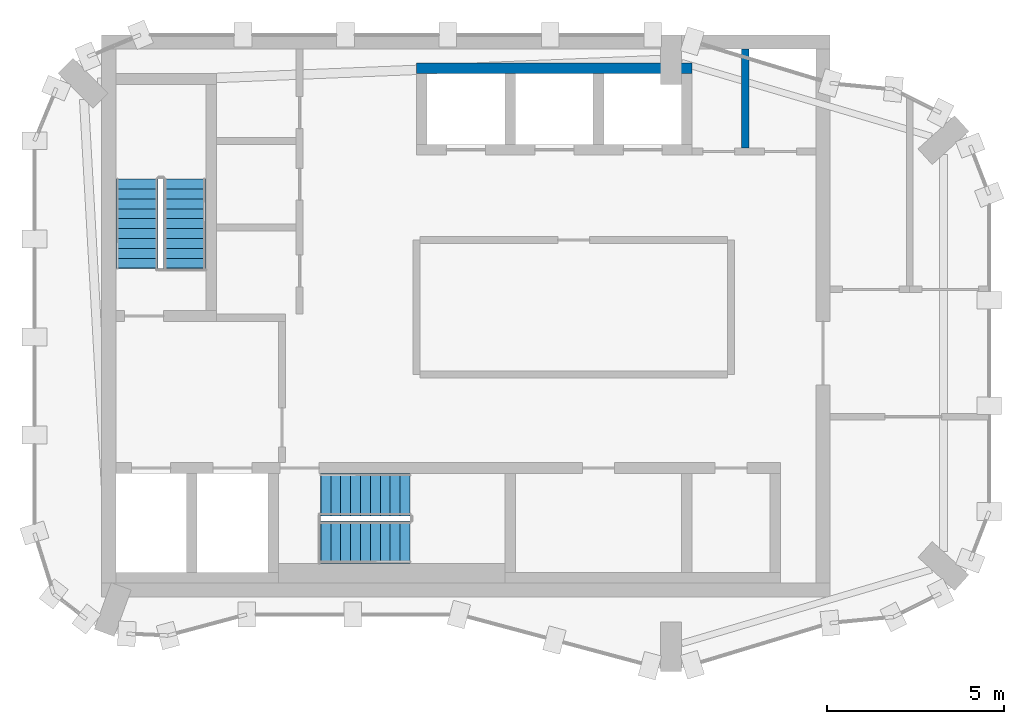
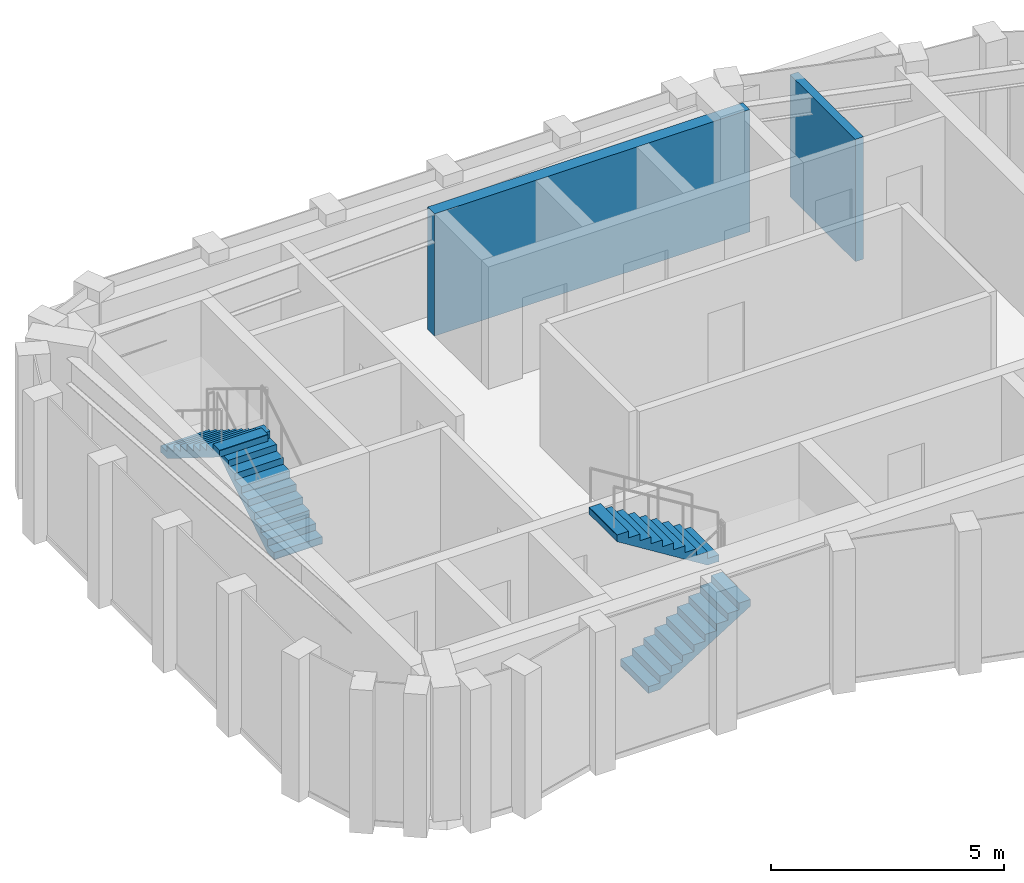
# One storey, part 4 of 5: 4 stair flights, 2 walls, 2 elements without a shape of their own.
"""IFC4 building model written with IfcOpenShell, lengths in metres."""

from ifc_helpers import new_model, si_unit, direction, frame, frame_2d, origin, place, context, subcontext, project, spatial, polyline, rectangle, outline, extrude, material, layer, layer_set, type_object, element, aggregate, save


model = new_model("IFC4")

# Units and contexts
model_context = context("Model", 3, precision=1e-05, world=origin(), true_north=direction((0.0, 1.0)))
body_context = subcontext(model_context, "Body", "Model", "MODEL_VIEW")
ifc_project = project(units=[si_unit("LENGTHUNIT", "METRE"), si_unit("AREAUNIT", "SQUARE_METRE"), si_unit("VOLUMEUNIT", "CUBIC_METRE"), si_unit("PLANEANGLEUNIT", "RADIAN"), si_unit("MASSUNIT", "GRAM", prefix="KILO")], contexts=[model_context])

# Site, building, storey
site_placement = place(None, origin())
site = spatial("IfcSite", under=ifc_project, at=site_placement, CompositionType="ELEMENT")
building_placement = place(site_placement, origin())
building = spatial("IfcBuilding", under=site, at=building_placement, Name="Plateau Cross Towers", CompositionType="ELEMENT")
storey_placement = place(building_placement, frame((0.0, 0.0, 308.89990234375)))
storey = spatial("IfcBuildingStorey", under=building, at=storey_placement, Name="L82 Crown 3", CompositionType="ELEMENT", Elevation=308.89990234375)

# Walls
ifc_material_1 = material(Name="Concrete block, plastered both sides", Category="concrete")
ifc_layer_1 = layer(ifc_material_1, 0.199951171875)
ifc_layer_set_1 = layer_set([ifc_layer_1], Name="Concrete block, plastered both sides")
wall_type_1 = type_object("IfcWallType", Name="Core partition 200", PredefinedType="PARTITIONING", material=ifc_layer_set_1)
wall_1_placement = place(storey_placement, frame((20.10009765625, 14.800048828125, 0.0), z_axis=(0.0, 0.0, 1.0), x_axis=(0.0, 1.0, 0.0)))
element("IfcWall", 1, at=wall_1_placement, inside=storey, type_object=wall_type_1, Name="Core partition", PredefinedType="PARTITIONING", context=body_context, shape_type="SweptSolid", body=[
    extrude(rectangle(XDim=2.800048828125, YDim=0.199951171875, at=frame_2d((1.39990234375, 0.0))), origin(), (0.0, 0.0, 1.0), 3.2001953125),
])
ifc_material_2 = material(Name="Concrete C60/75", Category="concrete")
ifc_layer_2 = layer(ifc_material_2, 0.300048828125)
ifc_layer_set_2 = layer_set([ifc_layer_2], Name="Concrete C60/75")
wall_type_2 = type_object("IfcWallType", Name="Core shaft wall 300", PredefinedType="SHEAR", material=ifc_layer_set_2)
wall_2_placement = place(storey_placement, frame((10.800048828125, 17.050048828125, 0.0), z_axis=(0.0, 0.0, 1.0), x_axis=(1.0, 0.0, 0.0)))
element("IfcWall", 2, at=wall_2_placement, inside=storey, type_object=wall_type_2, Name="A-nb-back@L82 Crown 3", PredefinedType="SHEAR", context=body_context, shape_type="SweptSolid", body=[
    extrude(rectangle(XDim=7.800048828125, YDim=0.300048828125, at=frame_2d((3.89990234375, 0.0))), origin(), (0.0, 0.0, 1.0), 3.2001953125),
])

# Stair, stair flights
ifc_material_3 = material(Name="Concrete C40/50", Category="concrete")
stair_type = type_object("IfcStairType", Name="ST-TWR", PredefinedType="HALF_TURN_STAIR", material=ifc_material_3)
stair_1_placement = place(storey_placement, origin())
stair_1 = element("IfcStair", 3, at=stair_1_placement, inside=storey, type_object=stair_type, Name="L82 Crown 3 Protected Exit Stair ST-1", PredefinedType="HALF_TURN_STAIR")
stair_flight_type = type_object("IfcStairFlightType", Name="SFL-RC", PredefinedType="STRAIGHT", material=ifc_material_3)
stair_flight_1_placement = place(storey_placement, frame((4.25, 11.39990234375, 0.0), z_axis=(0.0, 0.0, 1.0), x_axis=(0.0, 1.0, 0.0)))
stair_flight_1 = element("IfcStairFlight", 4, at=stair_flight_1_placement, type_object=stair_flight_type, Name="ST-1 flight 1", NumberOfRisers=10, NumberOfTreads=9, PredefinedType="STRAIGHT", RiserHeight=0.175, TreadLength=0.28, context=body_context, shape_type="SweptSolid", body=[
    extrude(outline(polyline([(-0.0048828125, -0.010009765625), (-0.0048828125, 0.0), (0.0, 0.0), (0.0, 0.175048828125), (0.280029296875, 0.175048828125), (0.280029296875, 0.35009765625), (0.56005859375, 0.35009765625), (0.56005859375, 0.52490234375), (0.840087890625, 0.52490234375), (0.840087890625, 0.699951171875), (1.1201171875, 0.699951171875), (1.1201171875, 0.875), (1.39990234375, 0.875), (1.39990234375, 1.050048828125), (1.679931640625, 1.050048828125), (1.679931640625, 1.22509765625), (1.9599609375, 1.22509765625), (1.9599609375, 1.39990234375), (2.239990234375, 1.39990234375), (2.239990234375, 1.574951171875), (2.52001953125, 1.574951171875), (2.52490234375, 1.56494140625), (2.52490234375, 1.398193359375), (2.52001953125, 1.398193359375), (0.28271484375, 0.0), (0.02001953125, 0.0), (0.02001953125, -0.010009765625), (-0.0048828125, -0.010009765625)])), frame((0.0, 0.60009765625, 0.0), z_axis=(0.0, -1.0, 0.0), x_axis=(1.0, 0.0, 0.0)), (0.0, 0.0, 1.0), 1.199951171875),
])
stair_flight_2_placement = place(storey_placement, frame((2.89990234375, 13.919921875, 1.75), z_axis=(0.0, 0.0, 1.0), x_axis=(0.0, -1.0, 0.0)))
stair_flight_2 = element("IfcStairFlight", 5, at=stair_flight_2_placement, type_object=stair_flight_type, Name="ST-1 flight 2", NumberOfRisers=10, NumberOfTreads=9, PredefinedType="STRAIGHT", RiserHeight=0.175, TreadLength=0.28, context=body_context, shape_type="SweptSolid", body=[
    extrude(outline(polyline([(-0.0048828125, -0.010009765625), (-0.0048828125, 0.0), (0.0, 0.0), (0.0, 0.175048828125), (0.280029296875, 0.175048828125), (0.280029296875, 0.35009765625), (0.56005859375, 0.35009765625), (0.56005859375, 0.52490234375), (0.840087890625, 0.52490234375), (0.840087890625, 0.699951171875), (1.1201171875, 0.699951171875), (1.1201171875, 0.875), (1.39990234375, 0.875), (1.39990234375, 1.050048828125), (1.679931640625, 1.050048828125), (1.679931640625, 1.22509765625), (1.9599609375, 1.22509765625), (1.9599609375, 1.39990234375), (2.239990234375, 1.39990234375), (2.239990234375, 1.574951171875), (2.52001953125, 1.574951171875), (2.52490234375, 1.56494140625), (2.52490234375, 1.398193359375), (2.52001953125, 1.398193359375), (0.28271484375, 0.0), (0.02001953125, 0.0), (0.02001953125, -0.010009765625), (-0.0048828125, -0.010009765625)])), frame((0.0, 0.60009765625, 0.0), z_axis=(0.0, -1.0, 0.0), x_axis=(1.0, 0.0, 0.0)), (0.0, 0.0, 1.0), 1.199951171875),
])
aggregate(stair_1, [stair_flight_1, stair_flight_2])

stair_2_placement = place(storey_placement, origin())
stair_2 = element("IfcStair", 6, at=stair_2_placement, inside=storey, type_object=stair_type, Name="L82 Crown 3 Protected Exit Stair ST-2", PredefinedType="HALF_TURN_STAIR")
stair_flight_3_placement = place(storey_placement, frame((8.10009765625, 3.64990234375, 0.0), z_axis=(0.0, 0.0, 1.0), x_axis=(1.0, 0.0, 0.0)))
stair_flight_3 = element("IfcStairFlight", 7, at=stair_flight_3_placement, type_object=stair_flight_type, Name="ST-2 flight 1", NumberOfRisers=10, NumberOfTreads=9, PredefinedType="STRAIGHT", RiserHeight=0.175, TreadLength=0.28, context=body_context, shape_type="SweptSolid", body=[
    extrude(outline(polyline([(-0.0048828125, -0.010009765625), (-0.0048828125, 0.0), (0.0, 0.0), (0.0, 0.175048828125), (0.280029296875, 0.175048828125), (0.280029296875, 0.35009765625), (0.56005859375, 0.35009765625), (0.56005859375, 0.52490234375), (0.840087890625, 0.52490234375), (0.840087890625, 0.699951171875), (1.1201171875, 0.699951171875), (1.1201171875, 0.875), (1.39990234375, 0.875), (1.39990234375, 1.050048828125), (1.679931640625, 1.050048828125), (1.679931640625, 1.22509765625), (1.9599609375, 1.22509765625), (1.9599609375, 1.39990234375), (2.239990234375, 1.39990234375), (2.239990234375, 1.574951171875), (2.52001953125, 1.574951171875), (2.52490234375, 1.56494140625), (2.52490234375, 1.398193359375), (2.52001953125, 1.398193359375), (0.28271484375, 0.0), (0.02001953125, 0.0), (0.02001953125, -0.010009765625), (-0.0048828125, -0.010009765625)])), frame((0.0, 0.60009765625, 0.0), z_axis=(0.0, -1.0, 0.0), x_axis=(1.0, 0.0, 0.0)), (0.0, 0.0, 1.0), 1.199951171875),
])
stair_flight_4_placement = place(storey_placement, frame((10.6201171875, 5.0, 1.75), z_axis=(0.0, 0.0, 1.0), x_axis=(-1.0, 0.0, 0.0)))
stair_flight_4 = element("IfcStairFlight", 8, at=stair_flight_4_placement, type_object=stair_flight_type, Name="ST-2 flight 2", NumberOfRisers=10, NumberOfTreads=9, PredefinedType="STRAIGHT", RiserHeight=0.175, TreadLength=0.28, context=body_context, shape_type="SweptSolid", body=[
    extrude(outline(polyline([(-0.0048828125, -0.010009765625), (-0.0048828125, 0.0), (0.0, 0.0), (0.0, 0.175048828125), (0.280029296875, 0.175048828125), (0.280029296875, 0.35009765625), (0.56005859375, 0.35009765625), (0.56005859375, 0.52490234375), (0.840087890625, 0.52490234375), (0.840087890625, 0.699951171875), (1.1201171875, 0.699951171875), (1.1201171875, 0.875), (1.39990234375, 0.875), (1.39990234375, 1.050048828125), (1.679931640625, 1.050048828125), (1.679931640625, 1.22509765625), (1.9599609375, 1.22509765625), (1.9599609375, 1.39990234375), (2.239990234375, 1.39990234375), (2.239990234375, 1.574951171875), (2.52001953125, 1.574951171875), (2.52490234375, 1.56494140625), (2.52490234375, 1.398193359375), (2.52001953125, 1.398193359375), (0.28271484375, 0.0), (0.02001953125, 0.0), (0.02001953125, -0.010009765625), (-0.0048828125, -0.010009765625)])), frame((0.0, 0.60009765625, 0.0), z_axis=(0.0, -1.0, 0.0), x_axis=(1.0, 0.0, 0.0)), (0.0, 0.0, 1.0), 1.199951171875),
])
aggregate(stair_2, [stair_flight_3, stair_flight_4])

save(model, "model.ifc")
